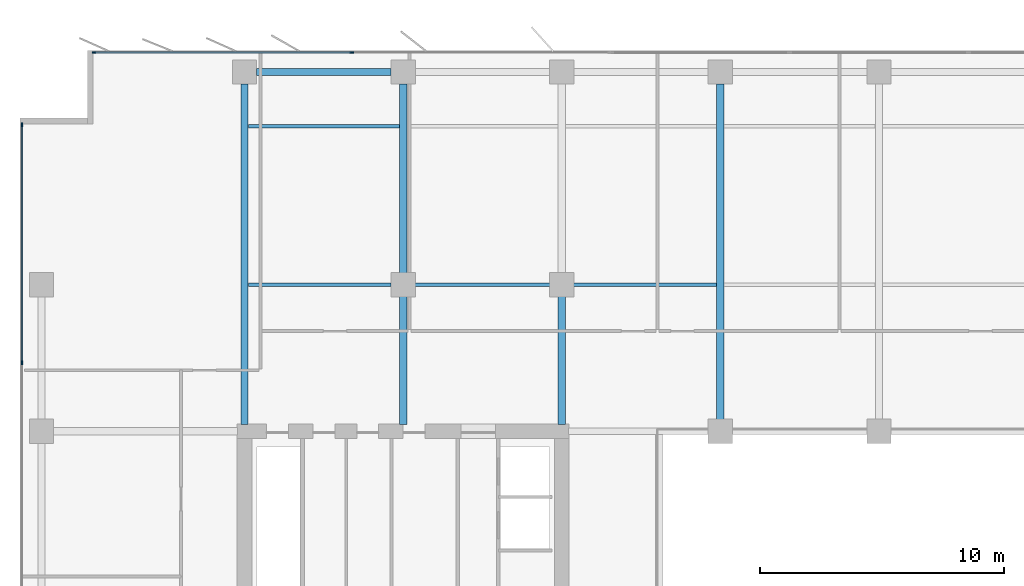
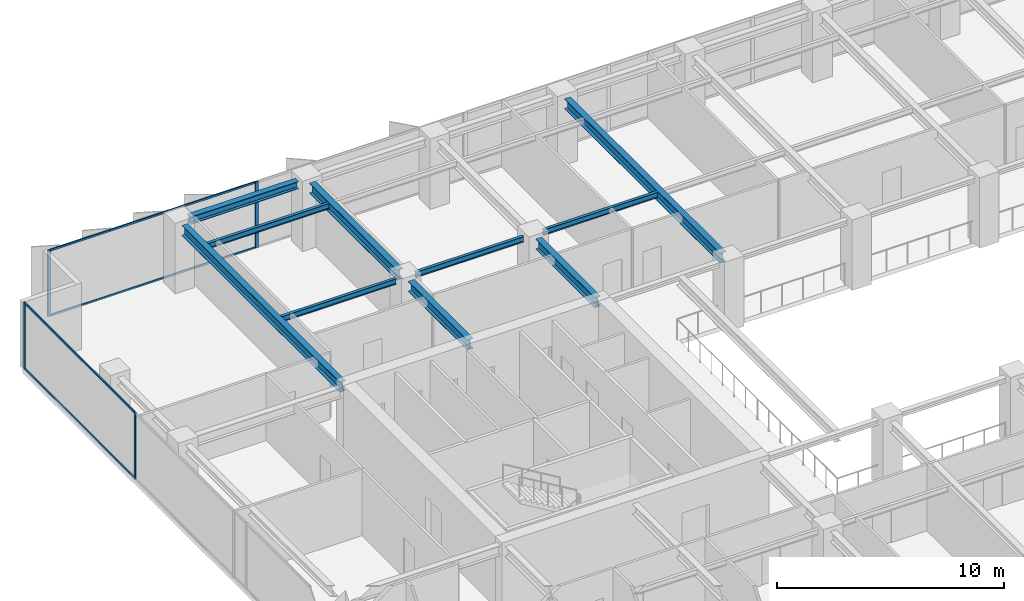
# One storey, part 8 of 22: 10 beams, 8 members, 2 elements without a shape of their own.
"""IFC4 building model written with IfcOpenShell, lengths in metres."""

from ifc_helpers import new_model, si_unit, direction, frame, origin, origin_2d, place, context, subcontext, project, spatial, rectangle, i_section, extrude, material, layer, layer_set, material_profile, profile_set, type_object, element, aggregate, save


model = new_model("IFC4")

# Units and contexts
model_context = context("Model", 3, precision=1e-05, world=origin(), true_north=direction((0.0, 1.0)))
body_context = subcontext(model_context, "Body", "Model", "MODEL_VIEW")
ifc_project = project(units=[si_unit("LENGTHUNIT", "METRE"), si_unit("AREAUNIT", "SQUARE_METRE"), si_unit("VOLUMEUNIT", "CUBIC_METRE"), si_unit("PLANEANGLEUNIT", "RADIAN"), si_unit("MASSUNIT", "GRAM", prefix="KILO")], contexts=[model_context])

# Site, building, storey
site_placement = place(None, origin())
site = spatial("IfcSite", under=ifc_project, at=site_placement, CompositionType="ELEMENT")
building_placement = place(site_placement, origin())
building = spatial("IfcBuilding", under=site, at=building_placement, Name="Putna Gate Headquarters", CompositionType="ELEMENT")
storey_placement = place(building_placement, frame((0.0, 0.0, 182.199951171875)))
storey = spatial("IfcBuildingStorey", under=building, at=storey_placement, Name="L45", CompositionType="ELEMENT", Elevation=182.199951171875)

# Beams
ifc_material_1 = material(Name="Steel S355J2", Category="steel")
ifc_material_profile_1 = material_profile(ifc_material_1, i_section(OverallWidth=0.300048828125, OverallDepth=0.550048828125, WebThickness=0.014892578125, FlangeThickness=0.029052734375, at=origin_2d()), Name="Steel S355J2")
ifc_profile_set_1 = profile_set([ifc_material_profile_1], Name="Steel S355J2")
beam_type_1 = type_object("IfcBeamType", Name="BM-GIRD-Z3-HEB550", PredefinedType="USERDEFINED", material=ifc_profile_set_1)
beam_1_placement = place(storey_placement, frame((13.0, 33.284912109375, 3.297119140625), z_axis=(0.0, 1.0, 0.0), x_axis=(-1.0, 0.0, 0.0)))
element("IfcBeam", 1, at=beam_1_placement, inside=storey, type_object=beam_type_1, Name="L45 North Primary Girder X13", ObjectType="GIRDER", PredefinedType="USERDEFINED", context=body_context, shape_type="SweptSolid", body=[
    extrude(i_section(OverallWidth=0.300048828125, OverallDepth=0.550048828125, WebThickness=0.014892578125, FlangeThickness=0.029052734375, at=origin_2d()), origin(), (0.0, 0.0, 1.0), 13.947021484375),
])
beam_2_placement = place(storey_placement, frame((19.5, 33.284912109375, 3.297119140625), z_axis=(0.0, 1.0, 0.0), x_axis=(-1.0, 0.0, 0.0)))
element("IfcBeam", 2, at=beam_2_placement, inside=storey, type_object=beam_type_1, Name="L45 North Primary Girder X19-1", ObjectType="GIRDER", PredefinedType="USERDEFINED", context=body_context, shape_type="SweptSolid", body=[
    extrude(i_section(OverallWidth=0.300048828125, OverallDepth=0.550048828125, WebThickness=0.014892578125, FlangeThickness=0.029052734375, at=origin_2d()), origin(), (0.0, 0.0, 1.0), 5.22705078125),
])
beam_3_placement = place(storey_placement, frame((19.5, 39.488037109375, 3.297119140625), z_axis=(0.0, 1.0, 0.0), x_axis=(-1.0, 0.0, 0.0)))
element("IfcBeam", 3, at=beam_3_placement, inside=storey, type_object=beam_type_1, Name="L45 North Primary Girder X19-2", ObjectType="GIRDER", PredefinedType="USERDEFINED", context=body_context, shape_type="SweptSolid", body=[
    extrude(i_section(OverallWidth=0.300048828125, OverallDepth=0.550048828125, WebThickness=0.014892578125, FlangeThickness=0.029052734375, at=origin_2d()), origin(), (0.0, 0.0, 1.0), 7.743896484375),
])
beam_4_placement = place(storey_placement, frame((26.0, 33.284912109375, 3.297119140625), z_axis=(0.0, 1.0, 0.0), x_axis=(-1.0, 0.0, 0.0)))
element("IfcBeam", 4, at=beam_4_placement, inside=storey, type_object=beam_type_1, Name="L45 North Primary Girder X26-1", ObjectType="GIRDER", PredefinedType="USERDEFINED", context=body_context, shape_type="SweptSolid", body=[
    extrude(i_section(OverallWidth=0.300048828125, OverallDepth=0.550048828125, WebThickness=0.014892578125, FlangeThickness=0.029052734375, at=origin_2d()), origin(), (0.0, 0.0, 1.0), 5.22705078125),
])
beam_5_placement = place(storey_placement, frame((32.5, 33.488037109375, 3.297119140625), z_axis=(0.0, 1.0, 0.0), x_axis=(-1.0, 0.0, 0.0)))
element("IfcBeam", 5, at=beam_5_placement, inside=storey, type_object=beam_type_1, Name="L45 North Primary Girder X32", ObjectType="GIRDER", PredefinedType="USERDEFINED", context=body_context, shape_type="SweptSolid", body=[
    extrude(i_section(OverallWidth=0.300048828125, OverallDepth=0.550048828125, WebThickness=0.014892578125, FlangeThickness=0.029052734375, at=origin_2d()), origin(), (0.0, 0.0, 1.0), 13.743896484375),
])
ifc_material_profile_2 = material_profile(ifc_material_1, i_section(OverallWidth=0.14990234375, OverallDepth=0.300048828125, WebThickness=0.007080078125, FlangeThickness=0.0107421875, at=origin_2d()), Name="Steel S355J2")
ifc_profile_set_2 = profile_set([ifc_material_profile_2], Name="Steel S355J2")
beam_type_2 = type_object("IfcBeamType", Name="BM-SEC-Z3-IPE300", PredefinedType="JOIST", material=ifc_profile_set_2)
beam_6_placement = place(storey_placement, frame((13.154052734375, 39.0, 3.422119140625), z_axis=(1.0, 0.0, 0.0), x_axis=(0.0, 1.0, 0.0)))
element("IfcBeam", 6, at=beam_6_placement, inside=storey, type_object=beam_type_2, Name="L45 North Secondary Beam 1", PredefinedType="JOIST", context=body_context, shape_type="SweptSolid", body=[
    extrude(i_section(OverallWidth=0.14990234375, OverallDepth=0.300048828125, WebThickness=0.007080078125, FlangeThickness=0.0107421875, at=origin_2d()), origin(), (0.0, 0.0, 1.0), 5.85791015625),
])
beam_7_placement = place(storey_placement, frame((13.154052734375, 45.5, 3.422119140625), z_axis=(1.0, 0.0, 0.0), x_axis=(0.0, 1.0, 0.0)))
element("IfcBeam", 7, at=beam_7_placement, inside=storey, type_object=beam_type_2, Name="L45 North Secondary Beam 1", PredefinedType="JOIST", context=body_context, shape_type="SweptSolid", body=[
    extrude(i_section(OverallWidth=0.14990234375, OverallDepth=0.300048828125, WebThickness=0.007080078125, FlangeThickness=0.0107421875, at=origin_2d()), origin(), (0.0, 0.0, 1.0), 6.19189453125),
])
beam_8_placement = place(storey_placement, frame((19.988037109375, 39.0, 3.422119140625), z_axis=(1.0, 0.0, 0.0), x_axis=(0.0, 1.0, 0.0)))
element("IfcBeam", 8, at=beam_8_placement, inside=storey, type_object=beam_type_2, Name="L45 North Secondary Beam 2", PredefinedType="JOIST", context=body_context, shape_type="SweptSolid", body=[
    extrude(i_section(OverallWidth=0.14990234375, OverallDepth=0.300048828125, WebThickness=0.007080078125, FlangeThickness=0.0107421875, at=origin_2d()), origin(), (0.0, 0.0, 1.0), 5.52392578125),
])
beam_9_placement = place(storey_placement, frame((26.488037109375, 39.0, 3.422119140625), z_axis=(1.0, 0.0, 0.0), x_axis=(0.0, 1.0, 0.0)))
element("IfcBeam", 9, at=beam_9_placement, inside=storey, type_object=beam_type_2, Name="L45 North Secondary Beam 3", PredefinedType="JOIST", context=body_context, shape_type="SweptSolid", body=[
    extrude(i_section(OverallWidth=0.14990234375, OverallDepth=0.300048828125, WebThickness=0.007080078125, FlangeThickness=0.0107421875, at=origin_2d()), origin(), (0.0, 0.0, 1.0), 5.85791015625),
])
ifc_material_profile_3 = material_profile(ifc_material_1, i_section(OverallWidth=0.300048828125, OverallDepth=0.39990234375, WebThickness=0.013427734375, FlangeThickness=0.02392578125, at=origin_2d()), Name="Steel S355J2")
ifc_profile_set_3 = profile_set([ifc_material_profile_3], Name="Steel S355J2")
beam_type_3 = type_object("IfcBeamType", Name="BM-SPAN-Z3-HEB400", PredefinedType="SPANDREL", material=ifc_profile_set_3)
beam_10_placement = place(storey_placement, frame((13.488037109375, 47.719970703125, 3.3720703125), z_axis=(1.0, 0.0, 0.0), x_axis=(0.0, 1.0, 0.0)))
element("IfcBeam", 10, at=beam_10_placement, inside=storey, type_object=beam_type_3, Name="L45 N Perimeter Spandrel 1", PredefinedType="SPANDREL", context=body_context, shape_type="SweptSolid", body=[
    extrude(i_section(OverallWidth=0.300048828125, OverallDepth=0.39990234375, WebThickness=0.013427734375, FlangeThickness=0.02392578125, at=origin_2d()), origin(), (0.0, 0.0, 1.0), 5.52392578125),
])

# Curtain wall, members
ifc_material_2 = material(Name="Anodised bronze aluminium curtain wall", Category="aluminium")
ifc_layer = layer(ifc_material_2, 0.159912109375)
ifc_layer_set = layer_set([ifc_layer], Name="Anodised bronze aluminium curtain wall")
curtain_wall_type = type_object("IfcCurtainWallType", Name="CW-SYS-Z3", PredefinedType="USERDEFINED", material=ifc_layer_set)
curtain_wall_1_placement = place(storey_placement, origin())
curtain_wall_1 = element("IfcCurtainWall", 11, at=curtain_wall_1_placement, inside=storey, type_object=curtain_wall_type, Name="L45 North West Curtain Wall", ObjectType="STICK CURTAIN WALL", PredefinedType="USERDEFINED")
ifc_material_3 = material(Name="Anodised bronze aluminium EN AW-6060", Category="aluminium")
ifc_material_profile_4 = material_profile(ifc_material_3, rectangle(XDim=0.06494140625, YDim=0.159912109375, at=origin_2d()), Name="Anodised bronze aluminium EN AW-6060")
ifc_profile_set_4 = profile_set([ifc_material_profile_4], Name="Anodised bronze aluminium EN AW-6060")
member_type_1 = type_object("IfcMemberType", Name="MULL-CWM-3", PredefinedType="MULLION", material=ifc_profile_set_4)
member_1_placement = place(storey_placement, frame((6.83251953125, 48.52001953125, 0.0), z_axis=(0.0, 0.0, 1.0), x_axis=(0.0, 1.0, 0.0)))
member_1 = element("IfcMember", 12, at=member_1_placement, type_object=member_type_1, Name="CWS-3 mullion 1", PredefinedType="MULLION", context=body_context, shape_type="SweptSolid", body=[
    extrude(rectangle(XDim=0.06494140625, YDim=0.159912109375, at=origin_2d()), origin(), (0.0, 0.0, 1.0), 3.572021484375),
])
member_2_placement = place(storey_placement, frame((17.39990234375, 48.52001953125, 0.0), z_axis=(0.0, 0.0, 1.0), x_axis=(0.0, 1.0, 0.0)))
member_2 = element("IfcMember", 13, at=member_2_placement, type_object=member_type_1, Name="CWS-3 mullion 2", PredefinedType="MULLION", context=body_context, shape_type="SweptSolid", body=[
    extrude(rectangle(XDim=0.06494140625, YDim=0.159912109375, at=origin_2d()), origin(), (0.0, 0.0, 1.0), 3.572021484375),
])

curtain_wall_2_placement = place(storey_placement, origin())
curtain_wall_2 = element("IfcCurtainWall", 14, at=curtain_wall_2_placement, inside=storey, type_object=curtain_wall_type, Name="L45 West Curtain Wall", ObjectType="STICK CURTAIN WALL", PredefinedType="USERDEFINED")
member_3_placement = place(storey_placement, frame((3.8798828125, 35.800048828125, 0.0), z_axis=(0.0, 0.0, 1.0), x_axis=(-1.0, 0.0, 0.0)))
member_3 = element("IfcMember", 15, at=member_3_placement, type_object=member_type_1, Name="CWS-3 mullion 4", PredefinedType="MULLION", context=body_context, shape_type="SweptSolid", body=[
    extrude(rectangle(XDim=0.06494140625, YDim=0.159912109375, at=origin_2d()), origin(), (0.0, 0.0, 1.0), 3.572021484375),
])
member_4_placement = place(storey_placement, frame((3.8798828125, 45.5673828125, 0.0), z_axis=(0.0, 0.0, 1.0), x_axis=(-1.0, 0.0, 0.0)))
member_4 = element("IfcMember", 16, at=member_4_placement, type_object=member_type_1, Name="CWS-3 mullion 5", PredefinedType="MULLION", context=body_context, shape_type="SweptSolid", body=[
    extrude(rectangle(XDim=0.06494140625, YDim=0.159912109375, at=origin_2d()), origin(), (0.0, 0.0, 1.0), 3.572021484375),
])

# Member
ifc_material_profile_5 = material_profile(ifc_material_3, rectangle(XDim=0.06005859375, YDim=0.10009765625, at=origin_2d()), Name="Anodised bronze aluminium EN AW-6060")
ifc_profile_set_5 = profile_set([ifc_material_profile_5], Name="Anodised bronze aluminium EN AW-6060")
member_type_2 = type_object("IfcMemberType", Name="TRAN-CWT-3", PredefinedType="USERDEFINED", material=ifc_profile_set_5)
member_5_placement = place(storey_placement, frame((6.864990234375, 48.52001953125, 0.030029296875), z_axis=(1.0, 0.0, 0.0), x_axis=(0.0, 1.0, 0.0)))
member_5 = element("IfcMember", 17, at=member_5_placement, type_object=member_type_2, Name="CWS-3 transom 1.1", ObjectType="TRANSOM", PredefinedType="USERDEFINED", context=body_context, shape_type="SweptSolid", body=[
    extrude(rectangle(XDim=0.06005859375, YDim=0.10009765625, at=origin_2d()), origin(), (0.0, 0.0, 1.0), 10.50244140625),
])

member_6_placement = place(storey_placement, frame((6.864990234375, 48.52001953125, 3.5419921875), z_axis=(1.0, 0.0, 0.0), x_axis=(0.0, 1.0, 0.0)))
member_6 = element("IfcMember", 18, at=member_6_placement, type_object=member_type_2, Name="CWS-3 transom 1.2", ObjectType="TRANSOM", PredefinedType="USERDEFINED", context=body_context, shape_type="SweptSolid", body=[
    extrude(rectangle(XDim=0.06005859375, YDim=0.10009765625, at=origin_2d()), origin(), (0.0, 0.0, 1.0), 10.50244140625),
])

aggregate(curtain_wall_1, [member_1, member_2, member_5, member_6])

member_7_placement = place(storey_placement, frame((3.8798828125, 35.83251953125, 0.030029296875), z_axis=(0.0, 1.0, 0.0), x_axis=(-1.0, 0.0, 0.0)))
member_7 = element("IfcMember", 19, at=member_7_placement, type_object=member_type_2, Name="CWS-3 transom 4.1", ObjectType="TRANSOM", PredefinedType="USERDEFINED", context=body_context, shape_type="SweptSolid", body=[
    extrude(rectangle(XDim=0.06005859375, YDim=0.10009765625, at=origin_2d()), origin(), (0.0, 0.0, 1.0), 9.702392578125),
])

member_8_placement = place(storey_placement, frame((3.8798828125, 35.83251953125, 3.5419921875), z_axis=(0.0, 1.0, 0.0), x_axis=(-1.0, 0.0, 0.0)))
member_8 = element("IfcMember", 20, at=member_8_placement, type_object=member_type_2, Name="CWS-3 transom 4.2", ObjectType="TRANSOM", PredefinedType="USERDEFINED", context=body_context, shape_type="SweptSolid", body=[
    extrude(rectangle(XDim=0.06005859375, YDim=0.10009765625, at=origin_2d()), origin(), (0.0, 0.0, 1.0), 9.702392578125),
])

aggregate(curtain_wall_2, [member_3, member_4, member_7, member_8])

save(model, "model.ifc")
